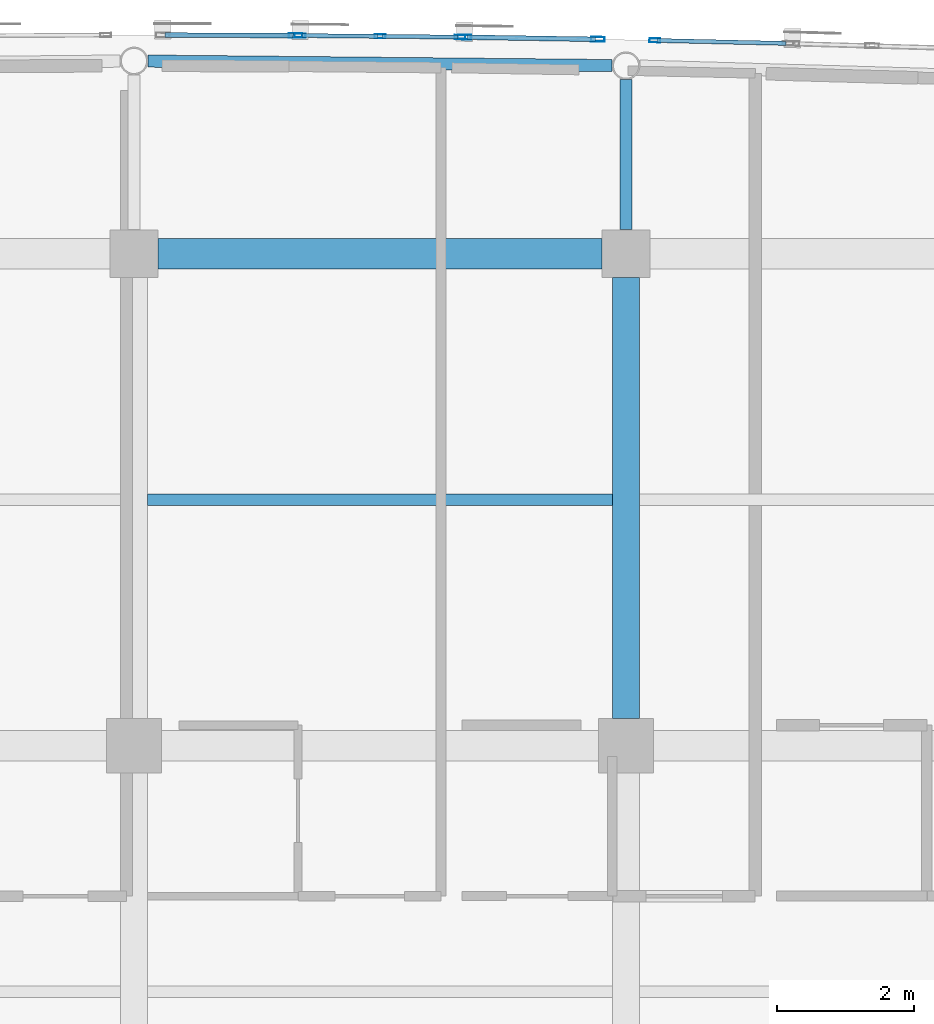
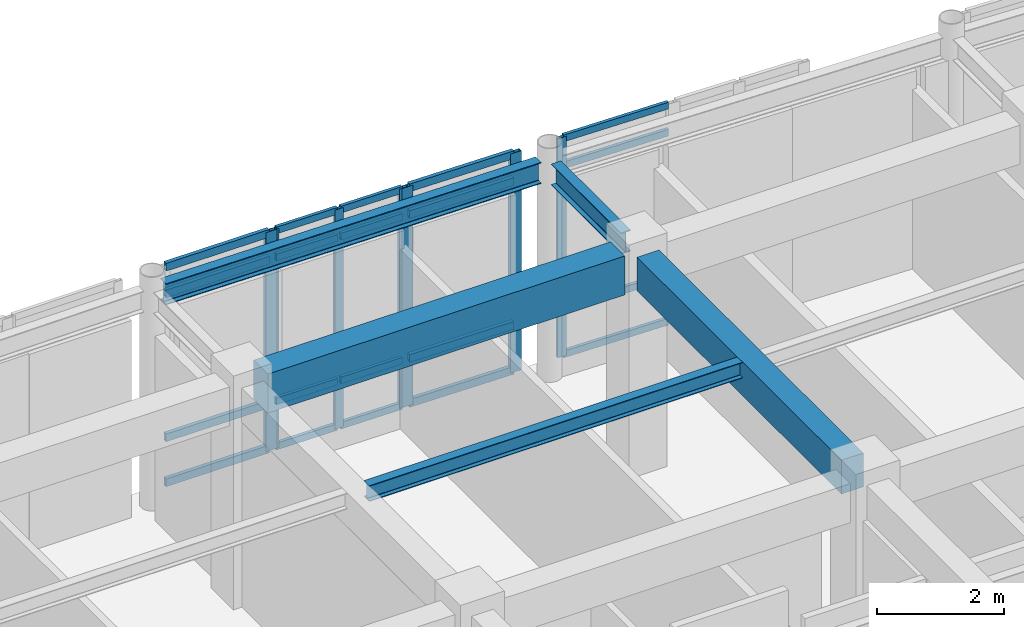
# One storey, part 39 of 106: 27 members, 5 beams, 4 elements without a shape of their own.
"""IFC4 building model written with IfcOpenShell, lengths in metres."""

from ifc_helpers import new_model, si_unit, direction, frame, origin, origin_2d, place, context, subcontext, project, spatial, rectangle, hollow_rectangle, i_section, extrude, material, layer, layer_set, material_profile, profile_set, type_object, element, aggregate, save


model = new_model("IFC4")

# Units and contexts
model_context = context("Model", 3, precision=1e-05, world=origin(), true_north=direction((0.0, 1.0)))
body_context = subcontext(model_context, "Body", "Model", "MODEL_VIEW")
ifc_project = project(units=[si_unit("LENGTHUNIT", "METRE"), si_unit("AREAUNIT", "SQUARE_METRE"), si_unit("VOLUMEUNIT", "CUBIC_METRE"), si_unit("PLANEANGLEUNIT", "RADIAN"), si_unit("MASSUNIT", "GRAM", prefix="KILO")], contexts=[model_context])

# Site, building, storey
site_placement = place(None, origin())
site = spatial("IfcSite", under=ifc_project, at=site_placement, CompositionType="ELEMENT")
building_placement = place(site_placement, origin())
building = spatial("IfcBuilding", under=site, at=building_placement, Name="Carrowvane Square Congress Hotel", CompositionType="ELEMENT")
storey_placement = place(building_placement, frame((0.0, 0.0, 10.5)))
storey = spatial("IfcBuildingStorey", under=building, at=storey_placement, Name="L02", CompositionType="ELEMENT", Elevation=10.5)

# Beams
ifc_material_1 = material(Name="Concrete C35/45", Category="concrete")
ifc_material_profile_1 = material_profile(ifc_material_1, rectangle(XDim=0.39990234375, YDim=0.64990234375, at=origin_2d()), Name="RC 400x650")
ifc_profile_set_1 = profile_set([ifc_material_profile_1], Name="Concrete C35/45")
beam_type_1 = type_object("IfcBeamType", Name="BM-RC-400x650", PredefinedType="BEAM", material=ifc_profile_set_1)
beam_1_placement = place(storey_placement, frame((105.199951171875, 106.60009765625, 3.89501953125), z_axis=(0.0, 1.0, 0.0), x_axis=(-1.0, 0.0, 0.0)))
element("IfcBeam", 1, at=beam_1_placement, inside=storey, type_object=beam_type_1, Name="L03 girder 14/Q-R", PredefinedType="BEAM", context=body_context, shape_type="SweptSolid", body=[
    extrude(rectangle(XDim=0.39990234375, YDim=0.64990234375, at=origin_2d()), origin(), (0.0, 0.0, 1.0), 6.449951171875),
])
ifc_material_2 = material(Name="Concrete C35/45", Category="concrete")
ifc_material_profile_2 = material_profile(ifc_material_2, rectangle(XDim=0.449951171875, YDim=0.75, at=origin_2d()), Name="RC 450x750")
ifc_profile_set_2 = profile_set([ifc_material_profile_2], Name="Concrete C35/45")
beam_type_2 = type_object("IfcBeamType", Name="BM-RC-450x750", PredefinedType="USERDEFINED", material=ifc_profile_set_2)
beam_2_placement = place(storey_placement, frame((98.35009765625, 113.39990234375, 3.844970703125), z_axis=(1.0, 0.0, 0.0), x_axis=(0.0, 1.0, 0.0)))
element("IfcBeam", 2, at=beam_2_placement, inside=storey, type_object=beam_type_2, Name="L03 girder R/13-14", ObjectType="GIRDER", PredefinedType="USERDEFINED", context=body_context, shape_type="SweptSolid", body=[
    extrude(rectangle(XDim=0.449951171875, YDim=0.75, at=origin_2d()), origin(), (0.0, 0.0, 1.0), 6.5),
])
ifc_material_3 = material(Name="Steel S355", Category="steel")
ifc_material_profile_3 = material_profile(ifc_material_3, i_section(OverallWidth=0.165771484375, OverallDepth=0.306640625, WebThickness=0.006591796875, FlangeThickness=0.01171875, FilletRadius=0.0087890625, at=origin_2d()), Name="UKB 305x165x46")
ifc_profile_set_3 = profile_set([ifc_material_profile_3], Name="Steel S355")
beam_type_3 = type_object("IfcBeamType", Name="BM-ST-UKB305", PredefinedType="JOIST", material=ifc_profile_set_3)
beam_3_placement = place(storey_placement, frame((98.199951171875, 109.800048828125, 4.066650390625), z_axis=(1.0, 0.0, 0.0), x_axis=(0.0, 1.0, 0.0)))
element("IfcBeam", 3, at=beam_3_placement, inside=storey, type_object=beam_type_3, Name="L03 secondary joist 13-14", PredefinedType="JOIST", context=body_context, shape_type="SweptSolid", body=[
    extrude(i_section(OverallWidth=0.165771484375, OverallDepth=0.306640625, WebThickness=0.006591796875, FlangeThickness=0.01171875, FilletRadius=0.0087890625, at=origin_2d()), origin(), (0.0, 0.0, 1.0), 6.800048828125),
])
ifc_material_4 = material(Name="Steel S355", Category="steel")
ifc_material_profile_4 = material_profile(ifc_material_4, i_section(OverallWidth=0.1787109375, OverallDepth=0.409423828125, WebThickness=0.0087890625, FlangeThickness=0.014404296875, FilletRadius=0.01025390625, at=origin_2d()), Name="UKB 406x178x67")
ifc_profile_set_4 = profile_set([ifc_material_profile_4], Name="Steel S355")
beam_type_4 = type_object("IfcBeamType", Name="BM-ST-UKB406", PredefinedType="BEAM", material=ifc_profile_set_4)
beam_4_placement = place(storey_placement, frame((98.203125, 116.218017578125, 4.015380859375), z_axis=(0.999952581816, -0.009738281154, 0.0), x_axis=(0.009738281154, 0.999952581816, 0.0)))
element("IfcBeam", 4, at=beam_4_placement, inside=storey, type_object=beam_type_4, Name="L03 curved north spandrel", PredefinedType="BEAM", context=body_context, shape_type="SweptSolid", body=[
    extrude(i_section(OverallWidth=0.1787109375, OverallDepth=0.409423828125, WebThickness=0.0087890625, FlangeThickness=0.014404296875, FilletRadius=0.01025390625, at=origin_2d()), origin(), (0.0, 0.0, 1.0), 6.7939453125),
])
beam_5_placement = place(storey_placement, frame((105.199951171875, 113.75, 4.015380859375), z_axis=(0.0, 1.0, 0.0), x_axis=(-1.0, 0.0, 0.0)))
element("IfcBeam", 5, at=beam_5_placement, inside=storey, type_object=beam_type_4, Name="L03 radial north beam 14", PredefinedType="BEAM", context=body_context, shape_type="SweptSolid", body=[
    extrude(i_section(OverallWidth=0.1787109375, OverallDepth=0.409423828125, WebThickness=0.0087890625, FlangeThickness=0.014404296875, FilletRadius=0.01025390625, at=origin_2d()), origin(), (0.0, 0.0, 1.0), 2.196533203125),
])

# Curtain wall, members
ifc_material_5 = material(Name="Anodised aluminium", Category="aluminium")
ifc_layer_1 = layer(ifc_material_5, 0.2099609375)
ifc_layer_set_1 = layer_set([ifc_layer_1], Name="Anodised aluminium")
curtain_wall_type_1 = type_object("IfcCurtainWallType", Name="CW-SYS-5", PredefinedType="NOTDEFINED", material=ifc_layer_set_1)
curtain_wall_1_placement = place(storey_placement, origin())
curtain_wall_1 = element("IfcCurtainWall", 6, at=curtain_wall_1_placement, inside=storey, type_object=curtain_wall_type_1, Name="L02 unitised curtain wall 156", PredefinedType="NOTDEFINED")
ifc_material_6 = material(Name="Anodised aluminium", Category="aluminium")
ifc_material_profile_5 = material_profile(ifc_material_6, hollow_rectangle(XDim=0.06005859375, YDim=0.159912109375, WallThickness=0.00390625, at=origin_2d()), Name="CW-ML 60x160x4")
ifc_profile_set_5 = profile_set([ifc_material_profile_5], Name="Anodised aluminium")
member_type_1 = type_object("IfcMemberType", Name="CW-MUL-1", PredefinedType="MULLION", material=ifc_profile_set_5)
member_1_placement = place(storey_placement, frame((100.429931640625, 116.591796875, 0.0), z_axis=(0.0, 0.0, 1.0), x_axis=(0.009782905924, 0.999952146231, 0.0)))
member_1 = element("IfcMember", 7, at=member_1_placement, type_object=member_type_1, Name="CW-5 mullion 1", PredefinedType="MULLION", context=body_context, shape_type="SweptSolid", body=[
    extrude(hollow_rectangle(XDim=0.06005859375, YDim=0.159912109375, WallThickness=0.00390625, at=origin_2d()), origin(), (0.0, 0.0, 1.0), 4.219970703125),
])
member_2_placement = place(storey_placement, frame((101.60009765625, 116.580322265625, 0.0), z_axis=(0.0, 0.0, 1.0), x_axis=(0.009782905924, 0.999952146231, 0.0)))
member_2 = element("IfcMember", 8, at=member_2_placement, type_object=member_type_1, Name="CW-5 mullion 2", PredefinedType="MULLION", context=body_context, shape_type="SweptSolid", body=[
    extrude(hollow_rectangle(XDim=0.06005859375, YDim=0.159912109375, WallThickness=0.00390625, at=origin_2d()), origin(), (0.0, 0.0, 1.0), 4.219970703125),
])
member_3_placement = place(storey_placement, frame((102.77001953125, 116.56884765625, 0.0), z_axis=(0.0, 0.0, 1.0), x_axis=(0.009782905924, 0.999952146231, 0.0)))
member_3 = element("IfcMember", 9, at=member_3_placement, type_object=member_type_1, Name="CW-5 mullion 3", PredefinedType="MULLION", context=body_context, shape_type="SweptSolid", body=[
    extrude(hollow_rectangle(XDim=0.06005859375, YDim=0.159912109375, WallThickness=0.00390625, at=origin_2d()), origin(), (0.0, 0.0, 1.0), 4.219970703125),
])

# Curtain wall, member
ifc_material_7 = material(Name="Anodised aluminium", Category="aluminium")
ifc_layer_2 = layer(ifc_material_7, 0.23388671875)
ifc_layer_set_2 = layer_set([ifc_layer_2], Name="Anodised aluminium")
curtain_wall_type_2 = type_object("IfcCurtainWallType", Name="CW-SYS-7", PredefinedType="NOTDEFINED", material=ifc_layer_set_2)
curtain_wall_2_placement = place(storey_placement, origin())
curtain_wall_2 = element("IfcCurtainWall", 10, at=curtain_wall_2_placement, inside=storey, type_object=curtain_wall_type_2, Name="L02 unitised curtain wall 158", PredefinedType="NOTDEFINED")
member_4_placement = place(storey_placement, frame((105.622314453125, 116.520263671875, 0.0), z_axis=(0.0, 0.0, 1.0), x_axis=(0.022517686606, 0.99974644475, 0.0)))
member_4 = element("IfcMember", 11, at=member_4_placement, type_object=member_type_1, Name="CW-7 mullion 1", PredefinedType="MULLION", context=body_context, shape_type="SweptSolid", body=[
    extrude(hollow_rectangle(XDim=0.06005859375, YDim=0.159912109375, WallThickness=0.00390625, at=origin_2d()), origin(), (0.0, 0.0, 1.0), 4.219970703125),
])

ifc_material_8 = material(Name="Anodised aluminium", Category="aluminium")
ifc_layer_3 = layer(ifc_material_8, 0.197998046875)
ifc_layer_set_3 = layer_set([ifc_layer_3], Name="Anodised aluminium")
curtain_wall_type_3 = type_object("IfcCurtainWallType", Name="CW-SYS-4", PredefinedType="NOTDEFINED", material=ifc_layer_set_3)
curtain_wall_3_placement = place(storey_placement, origin())
curtain_wall_3 = element("IfcCurtainWall", 12, at=curtain_wall_3_placement, inside=storey, type_object=curtain_wall_type_3, Name="L02 unitised curtain wall 155", PredefinedType="NOTDEFINED")
ifc_material_9 = material(Name="Anodised aluminium", Category="aluminium")
ifc_material_profile_6 = material_profile(ifc_material_9, hollow_rectangle(XDim=0.070068359375, YDim=0.199951171875, WallThickness=0.0048828125, at=origin_2d()), Name="CW-ML 70x200x5")
ifc_profile_set_6 = profile_set([ifc_material_profile_6], Name="Anodised aluminium")
member_type_2 = type_object("IfcMemberType", Name="CW-MUL-2", PredefinedType="MULLION", material=ifc_profile_set_6)
member_5_placement = place(storey_placement, frame((100.364990234375, 116.59228515625, 0.0), z_axis=(0.0, 0.0, 1.0), x_axis=(0.003270307911, 0.999994652529, 0.0)))
member_5 = element("IfcMember", 13, at=member_5_placement, type_object=member_type_2, Name="CW-4 mullion 2", PredefinedType="MULLION", context=body_context, shape_type="SweptSolid", body=[
    extrude(hollow_rectangle(XDim=0.070068359375, YDim=0.199951171875, WallThickness=0.0048828125, at=origin_2d()), origin(), (0.0, 0.0, 1.0), 4.219970703125),
])

# Curtain wall, members
ifc_material_10 = material(Name="Anodised aluminium", Category="aluminium")
ifc_layer_4 = layer(ifc_material_10, 0.221923828125)
ifc_layer_set_4 = layer_set([ifc_layer_4], Name="Anodised aluminium")
curtain_wall_type_4 = type_object("IfcCurtainWallType", Name="CW-SYS-6", PredefinedType="NOTDEFINED", material=ifc_layer_set_4)
curtain_wall_4_placement = place(storey_placement, origin())
curtain_wall_4 = element("IfcCurtainWall", 14, at=curtain_wall_4_placement, inside=storey, type_object=curtain_wall_type_4, Name="L02 unitised curtain wall 157", PredefinedType="NOTDEFINED")
member_6_placement = place(storey_placement, frame((102.8349609375, 116.568115234375, 0.0), z_axis=(0.0, 0.0, 1.0), x_axis=(0.016215981364, 0.99986851233, 0.0)))
member_6 = element("IfcMember", 15, at=member_6_placement, type_object=member_type_2, Name="CW-6 mullion 1", PredefinedType="MULLION", context=body_context, shape_type="SweptSolid", body=[
    extrude(hollow_rectangle(XDim=0.070068359375, YDim=0.199951171875, WallThickness=0.0048828125, at=origin_2d()), origin(), (0.0, 0.0, 1.0), 4.219970703125),
])
member_7_placement = place(storey_placement, frame((104.787353515625, 116.536376953125, 0.0), z_axis=(0.0, 0.0, 1.0), x_axis=(0.016215981364, 0.99986851233, 0.0)))
member_7 = element("IfcMember", 16, at=member_7_placement, type_object=member_type_2, Name="CW-6 mullion 2", PredefinedType="MULLION", context=body_context, shape_type="SweptSolid", body=[
    extrude(hollow_rectangle(XDim=0.070068359375, YDim=0.199951171875, WallThickness=0.0048828125, at=origin_2d()), origin(), (0.0, 0.0, 1.0), 4.219970703125),
])

# Member
ifc_material_11 = material(Name="Anodised aluminium", Category="aluminium")
ifc_material_profile_7 = material_profile(ifc_material_11, hollow_rectangle(XDim=0.06005859375, YDim=0.1298828125, WallThickness=0.00390625, at=origin_2d()), Name="CW-TR 60x130x4")
ifc_profile_set_7 = profile_set([ifc_material_profile_7], Name="Anodised aluminium")
member_type_3 = type_object("IfcMemberType", Name="CW-TRN-1", PredefinedType="USERDEFINED", material=ifc_profile_set_7)
member_8_placement = place(storey_placement, frame((100.4599609375, 116.591552734375, 0.030029296875), z_axis=(0.99995318393, -0.009676256893, 0.0), x_axis=(0.009676256893, 0.99995318393, 0.0)))
member_8 = element("IfcMember", 17, at=member_8_placement, type_object=member_type_3, Name="CW-5 transom 1.1", ObjectType="TRANSOM", PredefinedType="USERDEFINED", context=body_context, shape_type="SweptSolid", body=[
    extrude(hollow_rectangle(XDim=0.06005859375, YDim=0.1298828125, WallThickness=0.00390625, at=origin_2d()), origin(), (0.0, 0.0, 1.0), 1.110107421875),
])

member_9_placement = place(storey_placement, frame((100.4599609375, 116.591552734375, 0.89990234375), z_axis=(0.99995318393, -0.009676256893, 0.0), x_axis=(0.009676256893, 0.99995318393, 0.0)))
member_9 = element("IfcMember", 18, at=member_9_placement, type_object=member_type_3, Name="CW-5 transom 1.2", ObjectType="TRANSOM", PredefinedType="USERDEFINED", context=body_context, shape_type="SweptSolid", body=[
    extrude(hollow_rectangle(XDim=0.06005859375, YDim=0.1298828125, WallThickness=0.00390625, at=origin_2d()), origin(), (0.0, 0.0, 1.0), 1.110107421875),
])

member_10_placement = place(storey_placement, frame((100.4599609375, 116.591552734375, 3.669921875), z_axis=(0.99995318393, -0.009676256893, 0.0), x_axis=(0.009676256893, 0.99995318393, 0.0)))
member_10 = element("IfcMember", 19, at=member_10_placement, type_object=member_type_3, Name="CW-5 transom 1.3", ObjectType="TRANSOM", PredefinedType="USERDEFINED", context=body_context, shape_type="SweptSolid", body=[
    extrude(hollow_rectangle(XDim=0.06005859375, YDim=0.1298828125, WallThickness=0.00390625, at=origin_2d()), origin(), (0.0, 0.0, 1.0), 1.110107421875),
])

member_11_placement = place(storey_placement, frame((100.4599609375, 116.591552734375, 4.18994140625), z_axis=(0.99995318393, -0.009676256893, 0.0), x_axis=(0.009676256893, 0.99995318393, 0.0)))
member_11 = element("IfcMember", 20, at=member_11_placement, type_object=member_type_3, Name="CW-5 transom 1.4", ObjectType="TRANSOM", PredefinedType="USERDEFINED", context=body_context, shape_type="SweptSolid", body=[
    extrude(hollow_rectangle(XDim=0.06005859375, YDim=0.1298828125, WallThickness=0.00390625, at=origin_2d()), origin(), (0.0, 0.0, 1.0), 1.110107421875),
])

member_12_placement = place(storey_placement, frame((101.6298828125, 116.580078125, 0.030029296875), z_axis=(0.99995318393, -0.009676256893, 0.0), x_axis=(0.009676256893, 0.99995318393, 0.0)))
member_12 = element("IfcMember", 21, at=member_12_placement, type_object=member_type_3, Name="CW-5 transom 2.1", ObjectType="TRANSOM", PredefinedType="USERDEFINED", context=body_context, shape_type="SweptSolid", body=[
    extrude(hollow_rectangle(XDim=0.06005859375, YDim=0.1298828125, WallThickness=0.00390625, at=origin_2d()), origin(), (0.0, 0.0, 1.0), 1.110107421875),
])

member_13_placement = place(storey_placement, frame((101.6298828125, 116.580078125, 0.89990234375), z_axis=(0.99995318393, -0.009676256893, 0.0), x_axis=(0.009676256893, 0.99995318393, 0.0)))
member_13 = element("IfcMember", 22, at=member_13_placement, type_object=member_type_3, Name="CW-5 transom 2.2", ObjectType="TRANSOM", PredefinedType="USERDEFINED", context=body_context, shape_type="SweptSolid", body=[
    extrude(hollow_rectangle(XDim=0.06005859375, YDim=0.1298828125, WallThickness=0.00390625, at=origin_2d()), origin(), (0.0, 0.0, 1.0), 1.110107421875),
])

member_14_placement = place(storey_placement, frame((101.6298828125, 116.580078125, 3.669921875), z_axis=(0.99995318393, -0.009676256893, 0.0), x_axis=(0.009676256893, 0.99995318393, 0.0)))
member_14 = element("IfcMember", 23, at=member_14_placement, type_object=member_type_3, Name="CW-5 transom 2.3", ObjectType="TRANSOM", PredefinedType="USERDEFINED", context=body_context, shape_type="SweptSolid", body=[
    extrude(hollow_rectangle(XDim=0.06005859375, YDim=0.1298828125, WallThickness=0.00390625, at=origin_2d()), origin(), (0.0, 0.0, 1.0), 1.110107421875),
])

member_15_placement = place(storey_placement, frame((101.6298828125, 116.580078125, 4.18994140625), z_axis=(0.99995318393, -0.009676256893, 0.0), x_axis=(0.009676256893, 0.99995318393, 0.0)))
member_15 = element("IfcMember", 24, at=member_15_placement, type_object=member_type_3, Name="CW-5 transom 2.4", ObjectType="TRANSOM", PredefinedType="USERDEFINED", context=body_context, shape_type="SweptSolid", body=[
    extrude(hollow_rectangle(XDim=0.06005859375, YDim=0.1298828125, WallThickness=0.00390625, at=origin_2d()), origin(), (0.0, 0.0, 1.0), 1.110107421875),
])

aggregate(curtain_wall_1, [member_1, member_2, member_3, member_8, member_9, member_10, member_11, member_12, member_13, member_14, member_15])

member_16_placement = place(storey_placement, frame((105.65234375, 116.51953125, 0.030029296875), z_axis=(0.999746883827, -0.022498183883, 0.0), x_axis=(0.022498183883, 0.999746883827, 0.0)))
member_16 = element("IfcMember", 25, at=member_16_placement, type_object=member_type_3, Name="CW-7 transom 1.1", ObjectType="TRANSOM", PredefinedType="USERDEFINED", context=body_context, shape_type="SweptSolid", body=[
    extrude(hollow_rectangle(XDim=0.06005859375, YDim=0.1298828125, WallThickness=0.00390625, at=origin_2d()), origin(), (0.0, 0.0, 1.0), 1.88818359375),
])

member_17_placement = place(storey_placement, frame((105.65234375, 116.51953125, 0.89990234375), z_axis=(0.999746883827, -0.022498183883, 0.0), x_axis=(0.022498183883, 0.999746883827, 0.0)))
member_17 = element("IfcMember", 26, at=member_17_placement, type_object=member_type_3, Name="CW-7 transom 1.2", ObjectType="TRANSOM", PredefinedType="USERDEFINED", context=body_context, shape_type="SweptSolid", body=[
    extrude(hollow_rectangle(XDim=0.06005859375, YDim=0.1298828125, WallThickness=0.00390625, at=origin_2d()), origin(), (0.0, 0.0, 1.0), 1.88818359375),
])

member_18_placement = place(storey_placement, frame((105.65234375, 116.51953125, 3.669921875), z_axis=(0.999746883827, -0.022498183883, 0.0), x_axis=(0.022498183883, 0.999746883827, 0.0)))
member_18 = element("IfcMember", 27, at=member_18_placement, type_object=member_type_3, Name="CW-7 transom 1.3", ObjectType="TRANSOM", PredefinedType="USERDEFINED", context=body_context, shape_type="SweptSolid", body=[
    extrude(hollow_rectangle(XDim=0.06005859375, YDim=0.1298828125, WallThickness=0.00390625, at=origin_2d()), origin(), (0.0, 0.0, 1.0), 1.88818359375),
])

member_19_placement = place(storey_placement, frame((105.65234375, 116.51953125, 4.18994140625), z_axis=(0.999746883827, -0.022498183883, 0.0), x_axis=(0.022498183883, 0.999746883827, 0.0)))
member_19 = element("IfcMember", 28, at=member_19_placement, type_object=member_type_3, Name="CW-7 transom 1.4", ObjectType="TRANSOM", PredefinedType="USERDEFINED", context=body_context, shape_type="SweptSolid", body=[
    extrude(hollow_rectangle(XDim=0.06005859375, YDim=0.1298828125, WallThickness=0.00390625, at=origin_2d()), origin(), (0.0, 0.0, 1.0), 1.88818359375),
])

aggregate(curtain_wall_2, [member_4, member_16, member_17, member_18, member_19])

ifc_material_12 = material(Name="Anodised aluminium", Category="aluminium")
ifc_material_profile_8 = material_profile(ifc_material_12, hollow_rectangle(XDim=0.070068359375, YDim=0.14990234375, WallThickness=0.0048828125, at=origin_2d()), Name="CW-TR 70x150x5")
ifc_profile_set_8 = profile_set([ifc_material_profile_8], Name="Anodised aluminium")
member_type_4 = type_object("IfcMemberType", Name="CW-TRN-2", PredefinedType="USERDEFINED", material=ifc_profile_set_8)
member_20_placement = place(storey_placement, frame((98.454833984375, 116.5986328125, 0.034912109375), z_axis=(0.999994271018, -0.003384956522, 0.0), x_axis=(0.003384956522, 0.999994271018, 0.0)))
member_20 = element("IfcMember", 29, at=member_20_placement, type_object=member_type_4, Name="CW-4 transom 1.1", ObjectType="TRANSOM", PredefinedType="USERDEFINED", context=body_context, shape_type="SweptSolid", body=[
    extrude(hollow_rectangle(XDim=0.070068359375, YDim=0.14990234375, WallThickness=0.0048828125, at=origin_2d()), origin(), (0.0, 0.0, 1.0), 1.875244140625),
])

member_21_placement = place(storey_placement, frame((98.454833984375, 116.5986328125, 0.89990234375), z_axis=(0.999994271018, -0.003384956522, 0.0), x_axis=(0.003384956522, 0.999994271018, 0.0)))
member_21 = element("IfcMember", 30, at=member_21_placement, type_object=member_type_4, Name="CW-4 transom 1.2", ObjectType="TRANSOM", PredefinedType="USERDEFINED", context=body_context, shape_type="SweptSolid", body=[
    extrude(hollow_rectangle(XDim=0.070068359375, YDim=0.14990234375, WallThickness=0.0048828125, at=origin_2d()), origin(), (0.0, 0.0, 1.0), 1.875244140625),
])

member_22_placement = place(storey_placement, frame((98.454833984375, 116.5986328125, 3.669921875), z_axis=(0.999994271018, -0.003384956522, 0.0), x_axis=(0.003384956522, 0.999994271018, 0.0)))
member_22 = element("IfcMember", 31, at=member_22_placement, type_object=member_type_4, Name="CW-4 transom 1.3", ObjectType="TRANSOM", PredefinedType="USERDEFINED", context=body_context, shape_type="SweptSolid", body=[
    extrude(hollow_rectangle(XDim=0.070068359375, YDim=0.14990234375, WallThickness=0.0048828125, at=origin_2d()), origin(), (0.0, 0.0, 1.0), 1.875244140625),
])

member_23_placement = place(storey_placement, frame((98.454833984375, 116.5986328125, 4.18505859375), z_axis=(0.999994271018, -0.003384956522, 0.0), x_axis=(0.003384956522, 0.999994271018, 0.0)))
member_23 = element("IfcMember", 32, at=member_23_placement, type_object=member_type_4, Name="CW-4 transom 1.4", ObjectType="TRANSOM", PredefinedType="USERDEFINED", context=body_context, shape_type="SweptSolid", body=[
    extrude(hollow_rectangle(XDim=0.070068359375, YDim=0.14990234375, WallThickness=0.0048828125, at=origin_2d()), origin(), (0.0, 0.0, 1.0), 1.875244140625),
])

aggregate(curtain_wall_3, [member_5, member_20, member_21, member_22, member_23])

member_24_placement = place(storey_placement, frame((102.869873046875, 116.567626953125, 0.034912109375), z_axis=(0.999868633981, -0.016208478699, 0.0), x_axis=(0.016208478699, 0.999868633981, 0.0)))
member_24 = element("IfcMember", 33, at=member_24_placement, type_object=member_type_4, Name="CW-6 transom 1.1", ObjectType="TRANSOM", PredefinedType="USERDEFINED", context=body_context, shape_type="SweptSolid", body=[
    extrude(hollow_rectangle(XDim=0.070068359375, YDim=0.14990234375, WallThickness=0.0048828125, at=origin_2d()), origin(), (0.0, 0.0, 1.0), 1.8828125),
])

member_25_placement = place(storey_placement, frame((102.869873046875, 116.567626953125, 0.89990234375), z_axis=(0.999868633981, -0.016208478699, 0.0), x_axis=(0.016208478699, 0.999868633981, 0.0)))
member_25 = element("IfcMember", 34, at=member_25_placement, type_object=member_type_4, Name="CW-6 transom 1.2", ObjectType="TRANSOM", PredefinedType="USERDEFINED", context=body_context, shape_type="SweptSolid", body=[
    extrude(hollow_rectangle(XDim=0.070068359375, YDim=0.14990234375, WallThickness=0.0048828125, at=origin_2d()), origin(), (0.0, 0.0, 1.0), 1.8828125),
])

member_26_placement = place(storey_placement, frame((102.869873046875, 116.567626953125, 3.669921875), z_axis=(0.999868633981, -0.016208478699, 0.0), x_axis=(0.016208478699, 0.999868633981, 0.0)))
member_26 = element("IfcMember", 35, at=member_26_placement, type_object=member_type_4, Name="CW-6 transom 1.3", ObjectType="TRANSOM", PredefinedType="USERDEFINED", context=body_context, shape_type="SweptSolid", body=[
    extrude(hollow_rectangle(XDim=0.070068359375, YDim=0.14990234375, WallThickness=0.0048828125, at=origin_2d()), origin(), (0.0, 0.0, 1.0), 1.8828125),
])

member_27_placement = place(storey_placement, frame((102.869873046875, 116.567626953125, 4.18505859375), z_axis=(0.999868633981, -0.016208478699, 0.0), x_axis=(0.016208478699, 0.999868633981, 0.0)))
member_27 = element("IfcMember", 36, at=member_27_placement, type_object=member_type_4, Name="CW-6 transom 1.4", ObjectType="TRANSOM", PredefinedType="USERDEFINED", context=body_context, shape_type="SweptSolid", body=[
    extrude(hollow_rectangle(XDim=0.070068359375, YDim=0.14990234375, WallThickness=0.0048828125, at=origin_2d()), origin(), (0.0, 0.0, 1.0), 1.8828125),
])

aggregate(curtain_wall_4, [member_6, member_7, member_24, member_25, member_26, member_27])

save(model, "model.ifc")
